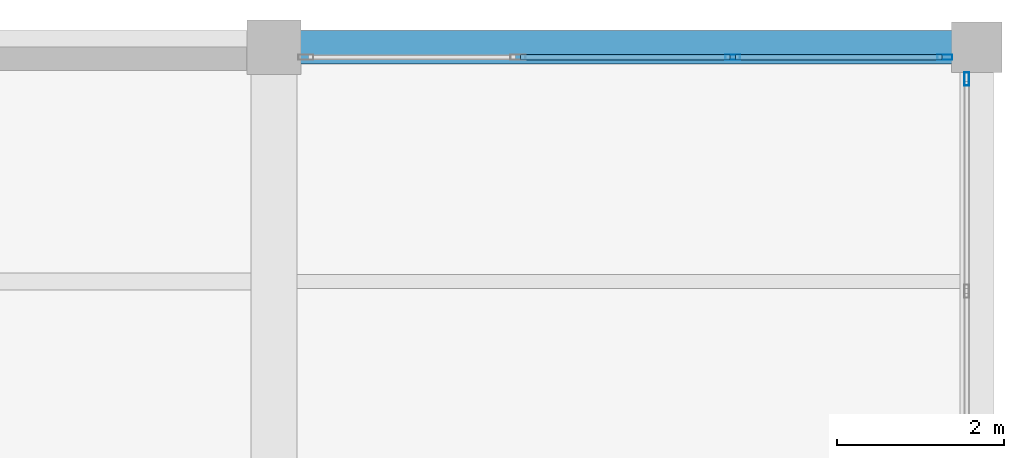
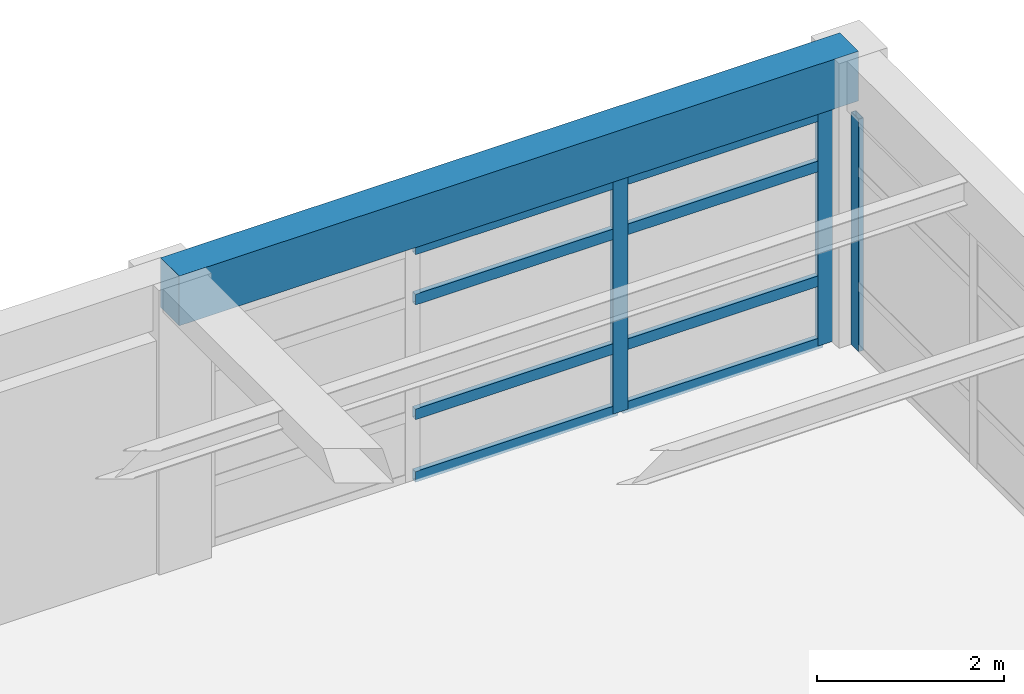
# One storey, part 21 of 26: 11 members, 1 beam, 2 elements without a shape of their own.
"""IFC4 building model written with IfcOpenShell, lengths in metres."""

import ifcopenshell
import ifcopenshell.guid

model = None  # the IFC model being written
_history = None  # IfcOwnerHistory: only IFC2X3 demands one
_inside = {}  # id of a spatial element -> (the spatial element, [elements in it])
_under = {}  # id of a project, library or spatial element -> (it, [spatial elements below it])
_declared = {}  # id of a project -> (the project, [libraries it declares])
_typed = {}  # id of a type object -> (the type object, [elements of that type])
_made_of = {}  # id of a material, layer set ... -> (it, [elements and type objects made of it])


def new_model(schema):
    """Start an empty IFC model of exactly this schema.

    Asked for "IFC4X3", IfcOpenShell would pick the latest addendum, in which some entities
    have other attributes; the version numbers below select the first issue.
    IFC2X3 requires an IfcOwnerHistory on every rooted entity: one is made here for all.
    """
    global model, _history
    if schema == "IFC4X3":
        model = ifcopenshell.file(schema_version=(4, 3, 0, 0))
    else:
        model = ifcopenshell.file(schema=schema)
    _inside.clear()
    _under.clear()
    _declared.clear()
    _typed.clear()
    _made_of.clear()
    _history = None
    if model.schema == "IFC2X3":
        org = make("IfcOrganization", Name="unknown")
        user = make(
            "IfcPersonAndOrganization",
            ThePerson=make("IfcPerson", FamilyName="unknown"),
            TheOrganization=org,
        )
        app = make(
            "IfcApplication",
            ApplicationDeveloper=org,
            Version="unknown",
            ApplicationFullName="unknown",
            ApplicationIdentifier="unknown",
        )
        _history = make(
            "IfcOwnerHistory",
            OwningUser=user,
            OwningApplication=app,
            ChangeAction="ADDED",
            CreationDate=0,
        )
    return model


def make(cls, **values):
    """One entity of the class cls with the attributes given. An attribute that is None is left unset."""
    return model.create_entity(
        cls, **{name: value for name, value in values.items() if value is not None}
    )


def rooted(cls, **values):
    """An entity with a GlobalId (a new one), such as an element, a storey or a relation."""
    return make(cls, GlobalId=ifcopenshell.guid.new(), OwnerHistory=_history, **values)


def si_unit(unit_type, name, prefix=None):
    """IfcSIUnit, for example si_unit("LENGTHUNIT", "METRE", prefix="MILLI")."""
    return make("IfcSIUnit", UnitType=unit_type, Prefix=prefix, Name=name)


def assignment(units):
    """IfcUnitAssignment: the units of a project."""
    return None if units is None else make("IfcUnitAssignment", Units=units)


def point(xyz):
    """IfcCartesianPoint."""
    return None if xyz is None else make("IfcCartesianPoint", Coordinates=xyz)


def direction(xyz):
    """IfcDirection."""
    return None if xyz is None else make("IfcDirection", DirectionRatios=xyz)


def frame(location, z_axis=None, x_axis=None):
    """IfcAxis2Placement3D, a coordinate frame: its origin and axes. An axis left out is left unset."""
    return make(
        "IfcAxis2Placement3D",
        Location=point(location),
        Axis=direction(z_axis),
        RefDirection=direction(x_axis),
    )


def frame_2d(location, x_axis=None):
    """IfcAxis2Placement2D, a coordinate frame in the plane: its origin and x axis."""
    return make(
        "IfcAxis2Placement2D", Location=point(location), RefDirection=direction(x_axis)
    )


def origin():
    """The frame at (0, 0, 0) with its axes left unset."""
    return frame((0.0, 0.0, 0.0))


def origin_2d():
    """The frame at (0, 0) in the plane with its x axis left unset."""
    return frame_2d((0.0, 0.0))


def place(relative_to, where):
    """IfcLocalPlacement: puts the frame where relative to a parent placement (None: the world)."""
    return make(
        "IfcLocalPlacement", PlacementRelTo=relative_to, RelativePlacement=where
    )


def context(
    kind, dimensions, precision=None, world=None, true_north=None, identifier=None
):
    """IfcGeometricRepresentationContext, for example the 3D "Model" context."""
    return make(
        "IfcGeometricRepresentationContext",
        ContextIdentifier=identifier,
        ContextType=kind,
        CoordinateSpaceDimension=dimensions,
        Precision=precision,
        WorldCoordinateSystem=world,
        TrueNorth=true_north,
    )


def subcontext(parent, identifier, kind, view, scale=None):
    """IfcGeometricRepresentationSubContext, for example "Body" below "Model"."""
    return make(
        "IfcGeometricRepresentationSubContext",
        ContextIdentifier=identifier,
        ContextType=kind,
        ParentContext=parent,
        TargetScale=scale,
        TargetView=view,
    )


def project(units=None, contexts=None):
    """IfcProject with its units and contexts."""
    return rooted(
        "IfcProject",
        Name="project",
        RepresentationContexts=contexts,
        UnitsInContext=assignment(units),
    )


def spatial(cls, under=None, at=None, **own):
    """A site, building, storey or space (cls), placed at a placement, below another one or the project."""
    s = rooted(cls, ObjectPlacement=at, **own)
    if under is not None:
        _under.setdefault(under.id(), (under, []))[1].append(s)
    return s


def profile(cls, at=None, kind="AREA", **sizes):
    """A parametric profile (cls). Its sizes go by their IFC names, for example OverallWidth=200.0."""
    return make(cls, ProfileType=kind, Position=at, **sizes)


def rectangle(**sizes):
    """IfcRectangleProfileDef."""
    return profile("IfcRectangleProfileDef", **sizes)


def hollow_rectangle(**sizes):
    """IfcRectangleHollowProfileDef."""
    return profile("IfcRectangleHollowProfileDef", **sizes)


def extrude(swept, where, along, depth):
    """IfcExtrudedAreaSolid: the profile swept, set in the frame where, extruded along a direction by depth."""
    return make(
        "IfcExtrudedAreaSolid",
        SweptArea=swept,
        Position=where,
        ExtrudedDirection=direction(along),
        Depth=depth,
    )


def shape(context_of_items, identifier, shape_type, items):
    """IfcShapeRepresentation: the items that make up one representation, for example the "Body"."""
    return make(
        "IfcShapeRepresentation",
        ContextOfItems=context_of_items,
        RepresentationIdentifier=identifier,
        RepresentationType=shape_type,
        Items=items,
    )


def material(Name=None, Category=None):
    """IfcMaterial."""
    return make("IfcMaterial", Name=Name, Category=Category)


def material_profile(
    of_material, cross_section, Name=None, Category=None, Priority=None
):
    """IfcMaterialProfile: a cross section and its material."""
    return make(
        "IfcMaterialProfile",
        Name=Name,
        Material=of_material,
        Profile=cross_section,
        Priority=Priority,
        Category=Category,
    )


def profile_set(profiles, Name=None, composite=None):
    """IfcMaterialProfileSet."""
    return make(
        "IfcMaterialProfileSet",
        Name=Name,
        MaterialProfiles=profiles,
        CompositeProfile=composite,
    )


def made_of(thing, what):
    """Note that an element or type object is made of a material, layer set ...; save() writes the relation."""
    if what is not None:
        _made_of.setdefault(what.id(), (what, []))[1].append(thing)
    return thing


def type_object(cls, material=None, **own):
    """A type object (cls), such as IfcWallType, which elements share."""
    return made_of(rooted(cls, **own), material)


def element(
    cls,
    number,
    at=None,
    inside=None,
    cuts=None,
    type_object=None,
    material=None,
    context=None,
    identifier="Body",
    shape_type=None,
    held_by="IfcProductDefinitionShape",
    body=None,
    shapes=None,
    **own,
):
    """One element of the class cls, such as IfcWall. Its Tag is "e" and its number.

    at: its placement. inside: the storey or other place that contains it. cuts: it is an
    opening in that element (IfcRelVoidsElement). A single representation is given by context,
    identifier, shape_type and body (its items); several are given by shapes. held_by: the class
    of the entity that holds the representations. save() writes the other relations.
    """
    e = rooted(cls, Tag="e%d" % number, ObjectPlacement=at, **own)
    if body is not None:
        shapes = [shape(context, identifier, shape_type, body)]
    if shapes is not None:
        e.Representation = make(held_by, Representations=shapes)
    if inside is not None:
        _inside.setdefault(inside.id(), (inside, []))[1].append(e)
    if cuts is not None:
        rooted(
            "IfcRelVoidsElement", RelatingBuildingElement=cuts, RelatedOpeningElement=e
        )
    if type_object is not None:
        _typed.setdefault(type_object.id(), (type_object, []))[1].append(e)
    return made_of(e, material)


def aggregate(whole, parts):
    """IfcRelAggregates: a whole, such as a stair, and the parts it consists of."""
    return rooted("IfcRelAggregates", RelatingObject=whole, RelatedObjects=parts)


def save(model, path):
    """Write the relations noted so far, then the file.

    IfcRelAggregates (storeys below a building ...), IfcRelContainedInSpatialStructure (elements
    in a storey), IfcRelDefinesByType, IfcRelAssociatesMaterial and IfcRelDeclares: one each for
    every whole, place, type object, material and project.
    """
    for whole, parts in _under.values():
        aggregate(whole, parts)
    for where, things in _inside.values():
        rooted(
            "IfcRelContainedInSpatialStructure",
            RelatedElements=things,
            RelatingStructure=where,
        )
    for kind, things in _typed.values():
        rooted("IfcRelDefinesByType", RelatedObjects=things, RelatingType=kind)
    for what, things in _made_of.values():
        rooted("IfcRelAssociatesMaterial", RelatedObjects=things, RelatingMaterial=what)
    for by, libraries in _declared.values():
        rooted("IfcRelDeclares", RelatingContext=by, RelatedDefinitions=libraries)
    model.write(path)


model = new_model("IFC4")

# Units and contexts
model_context = context("Model", 3, precision=1e-05, world=origin(), true_north=direction((0.0, 1.0)))
body_context = subcontext(model_context, "Body", "Model", "MODEL_VIEW")
ifc_project = project(units=[si_unit("LENGTHUNIT", "METRE"), si_unit("AREAUNIT", "SQUARE_METRE"), si_unit("VOLUMEUNIT", "CUBIC_METRE"), si_unit("PLANEANGLEUNIT", "RADIAN"), si_unit("MASSUNIT", "GRAM", prefix="KILO")], contexts=[model_context])

# Site, building, storey
site_placement = place(None, origin())
site = spatial("IfcSite", under=ifc_project, at=site_placement, CompositionType="ELEMENT")
building_placement = place(site_placement, origin())
building = spatial("IfcBuilding", under=site, at=building_placement, Name="Almacenes y Pasaje Nevantli", CompositionType="ELEMENT")
storey_placement = place(building_placement, frame((0.0, 0.0, 46.699951171875)))
storey = spatial("IfcBuildingStorey", under=building, at=storey_placement, Name="L11", CompositionType="ELEMENT", Elevation=46.699951171875)

# Beam
ifc_material_1 = material(Name="Concrete C35/45", Category="concrete")
ifc_material_profile_1 = material_profile(ifc_material_1, rectangle(XDim=0.39990234375, YDim=0.64990234375, at=origin_2d()), Name="RC-BM-400x650")
ifc_profile_set_1 = profile_set([ifc_material_profile_1], Name="Concrete C35/45")
beam_type = type_object("IfcBeamType", Name="BM-RC-400x650", PredefinedType="SPANDREL", material=ifc_profile_set_1)
beam_placement = place(storey_placement, frame((151.199951171875, 100.800048828125, 3.39501953125), z_axis=(1.0, 0.0, 0.0), x_axis=(0.0, 1.0, 0.0)))
element("IfcBeam", 1, at=beam_placement, inside=storey, type_object=beam_type, Name="L11 East-West Reinforced Concrete Beam #3868", PredefinedType="SPANDREL", context=body_context, shape_type="SweptSolid", body=[
    extrude(rectangle(XDim=0.39990234375, YDim=0.64990234375, at=origin_2d()), origin(), (0.0, 0.0, 1.0), 8.400146484375),
])

# Curtain wall, member
ifc_material_2 = material(Name="Thermally Broken Aluminium and Low-E Glass", Category="aluminium")
curtain_wall_type = type_object("IfcCurtainWallType", Name="CW-UNIT-TOWER", PredefinedType="USERDEFINED", material=ifc_material_2)
curtain_wall_1_placement = place(storey_placement, origin())
curtain_wall_1 = element("IfcCurtainWall", 2, at=curtain_wall_1_placement, inside=storey, type_object=curtain_wall_type, Name="L11 Tower East Curtain Wall Bay 12", ObjectType="UNITIZED CURTAIN WALL", PredefinedType="USERDEFINED")
ifc_material_3 = material(Name="Thermally Broken Anodized Aluminium", Category="aluminium")
ifc_material_profile_2 = material_profile(ifc_material_3, hollow_rectangle(XDim=0.06005859375, YDim=0.159912109375, WallThickness=0.00390625, at=origin_2d()), Name="ALU-MUL-60x160")
ifc_profile_set_2 = profile_set([ifc_material_profile_2], Name="Thermally Broken Anodized Aluminium")
member_type_1 = type_object("IfcMemberType", Name="CW-MUL-180", PredefinedType="MULLION", material=ifc_profile_set_2)
member_1_placement = place(storey_placement, frame((159.47998046875, 100.419921875, 0.0), z_axis=(0.0, 0.0, 1.0), x_axis=(-1.0, 0.0, 0.0)))
member_1 = element("IfcMember", 3, at=member_1_placement, type_object=member_type_1, Name="CW-L11-158 mullion 4", PredefinedType="MULLION", context=body_context, shape_type="SweptSolid", body=[
    extrude(hollow_rectangle(XDim=0.06005859375, YDim=0.159912109375, WallThickness=0.00390625, at=origin_2d()), origin(), (0.0, 0.0, 1.0), 3.0400390625),
])
aggregate(curtain_wall_1, [member_1])

# Curtain wall, members
curtain_wall_2_placement = place(storey_placement, origin())
curtain_wall_2 = element("IfcCurtainWall", 4, at=curtain_wall_2_placement, inside=storey, type_object=curtain_wall_type, Name="L11 Tower North Boulevard Unitized Curtain Wall Bay 19", ObjectType="UNITIZED CURTAIN WALL", PredefinedType="USERDEFINED")
ifc_material_4 = material(Name="Thermally Broken Anodized Aluminium", Category="aluminium")
ifc_material_profile_3 = material_profile(ifc_material_4, hollow_rectangle(XDim=0.06494140625, YDim=0.179931640625, WallThickness=0.00390625, at=origin_2d()), Name="ALU-MUL-65x180")
ifc_profile_set_3 = profile_set([ifc_material_profile_3], Name="Thermally Broken Anodized Aluminium")
member_type_2 = type_object("IfcMemberType", Name="CW-MUL-200", PredefinedType="MULLION", material=ifc_profile_set_3)
member_2_placement = place(storey_placement, frame((156.683349609375, 100.679931640625, 0.0), z_axis=(0.0, 0.0, 1.0), x_axis=(0.0, 1.0, 0.0)))
member_2 = element("IfcMember", 5, at=member_2_placement, type_object=member_type_2, Name="CW-L11-154 mullion 3", PredefinedType="MULLION", context=body_context, shape_type="SweptSolid", body=[
    extrude(hollow_rectangle(XDim=0.06494140625, YDim=0.179931640625, WallThickness=0.00390625, at=origin_2d()), origin(), (0.0, 0.0, 1.0), 3.0400390625),
])
member_3_placement = place(storey_placement, frame((159.217529296875, 100.679931640625, 0.0), z_axis=(0.0, 0.0, 1.0), x_axis=(0.0, 1.0, 0.0)))
member_3 = element("IfcMember", 6, at=member_3_placement, type_object=member_type_2, Name="CW-L11-154 mullion 4", PredefinedType="MULLION", context=body_context, shape_type="SweptSolid", body=[
    extrude(hollow_rectangle(XDim=0.06494140625, YDim=0.179931640625, WallThickness=0.00390625, at=origin_2d()), origin(), (0.0, 0.0, 1.0), 3.0400390625),
])
ifc_material_5 = material(Name="Thermally Broken Anodized Aluminium", Category="aluminium")
ifc_material_profile_4 = material_profile(ifc_material_5, hollow_rectangle(XDim=0.06494140625, YDim=0.139892578125, WallThickness=0.00390625, at=origin_2d()), Name="ALU-TRN-65x140")
ifc_profile_set_4 = profile_set([ifc_material_profile_4], Name="Thermally Broken Anodized Aluminium")
member_type_3 = type_object("IfcMemberType", Name="CW-TRN-150", PredefinedType="USERDEFINED", material=ifc_profile_set_4)
member_4_placement = place(storey_placement, frame((154.149169921875, 100.679931640625, 0.032470703125), z_axis=(1.0, 0.0, 0.0), x_axis=(0.0, 1.0, 0.0)))
member_4 = element("IfcMember", 7, at=member_4_placement, type_object=member_type_3, Name="CW-L11-154 transom 2.1", ObjectType="TRANSOM", PredefinedType="USERDEFINED", context=body_context, shape_type="SweptSolid", body=[
    extrude(hollow_rectangle(XDim=0.06494140625, YDim=0.139892578125, WallThickness=0.00390625, at=origin_2d()), origin(), (0.0, 0.0, 1.0), 2.501708984375),
])
member_5_placement = place(storey_placement, frame((154.149169921875, 100.679931640625, 0.85009765625), z_axis=(1.0, 0.0, 0.0), x_axis=(0.0, 1.0, 0.0)))
member_5 = element("IfcMember", 8, at=member_5_placement, type_object=member_type_3, Name="CW-L11-154 transom 2.2", ObjectType="TRANSOM", PredefinedType="USERDEFINED", context=body_context, shape_type="SweptSolid", body=[
    extrude(hollow_rectangle(XDim=0.06494140625, YDim=0.139892578125, WallThickness=0.00390625, at=origin_2d()), origin(), (0.0, 0.0, 1.0), 2.501708984375),
])
member_6_placement = place(storey_placement, frame((154.149169921875, 100.679931640625, 2.35009765625), z_axis=(1.0, 0.0, 0.0), x_axis=(0.0, 1.0, 0.0)))
member_6 = element("IfcMember", 9, at=member_6_placement, type_object=member_type_3, Name="CW-L11-154 transom 2.3", ObjectType="TRANSOM", PredefinedType="USERDEFINED", context=body_context, shape_type="SweptSolid", body=[
    extrude(hollow_rectangle(XDim=0.06494140625, YDim=0.139892578125, WallThickness=0.00390625, at=origin_2d()), origin(), (0.0, 0.0, 1.0), 2.501708984375),
])
member_7_placement = place(storey_placement, frame((154.149169921875, 100.679931640625, 3.007568359375), z_axis=(1.0, 0.0, 0.0), x_axis=(0.0, 1.0, 0.0)))
member_7 = element("IfcMember", 10, at=member_7_placement, type_object=member_type_3, Name="CW-L11-154 transom 2.4", ObjectType="TRANSOM", PredefinedType="USERDEFINED", context=body_context, shape_type="SweptSolid", body=[
    extrude(hollow_rectangle(XDim=0.06494140625, YDim=0.139892578125, WallThickness=0.00390625, at=origin_2d()), origin(), (0.0, 0.0, 1.0), 2.501708984375),
])
member_8_placement = place(storey_placement, frame((156.7158203125, 100.679931640625, 0.032470703125), z_axis=(1.0, 0.0, 0.0), x_axis=(0.0, 1.0, 0.0)))
member_8 = element("IfcMember", 11, at=member_8_placement, type_object=member_type_3, Name="CW-L11-154 transom 3.1", ObjectType="TRANSOM", PredefinedType="USERDEFINED", context=body_context, shape_type="SweptSolid", body=[
    extrude(hollow_rectangle(XDim=0.06494140625, YDim=0.139892578125, WallThickness=0.00390625, at=origin_2d()), origin(), (0.0, 0.0, 1.0), 2.46923828125),
])
member_9_placement = place(storey_placement, frame((156.7158203125, 100.679931640625, 0.85009765625), z_axis=(1.0, 0.0, 0.0), x_axis=(0.0, 1.0, 0.0)))
member_9 = element("IfcMember", 12, at=member_9_placement, type_object=member_type_3, Name="CW-L11-154 transom 3.2", ObjectType="TRANSOM", PredefinedType="USERDEFINED", context=body_context, shape_type="SweptSolid", body=[
    extrude(hollow_rectangle(XDim=0.06494140625, YDim=0.139892578125, WallThickness=0.00390625, at=origin_2d()), origin(), (0.0, 0.0, 1.0), 2.46923828125),
])
member_10_placement = place(storey_placement, frame((156.7158203125, 100.679931640625, 2.35009765625), z_axis=(1.0, 0.0, 0.0), x_axis=(0.0, 1.0, 0.0)))
member_10 = element("IfcMember", 13, at=member_10_placement, type_object=member_type_3, Name="CW-L11-154 transom 3.3", ObjectType="TRANSOM", PredefinedType="USERDEFINED", context=body_context, shape_type="SweptSolid", body=[
    extrude(hollow_rectangle(XDim=0.06494140625, YDim=0.139892578125, WallThickness=0.00390625, at=origin_2d()), origin(), (0.0, 0.0, 1.0), 2.46923828125),
])
member_11_placement = place(storey_placement, frame((156.7158203125, 100.679931640625, 3.007568359375), z_axis=(1.0, 0.0, 0.0), x_axis=(0.0, 1.0, 0.0)))
member_11 = element("IfcMember", 14, at=member_11_placement, type_object=member_type_3, Name="CW-L11-154 transom 3.4", ObjectType="TRANSOM", PredefinedType="USERDEFINED", context=body_context, shape_type="SweptSolid", body=[
    extrude(hollow_rectangle(XDim=0.06494140625, YDim=0.139892578125, WallThickness=0.00390625, at=origin_2d()), origin(), (0.0, 0.0, 1.0), 2.46923828125),
])
aggregate(curtain_wall_2, [member_2, member_3, member_4, member_5, member_6, member_7, member_8, member_9, member_10, member_11])

save(model, "model.ifc")
